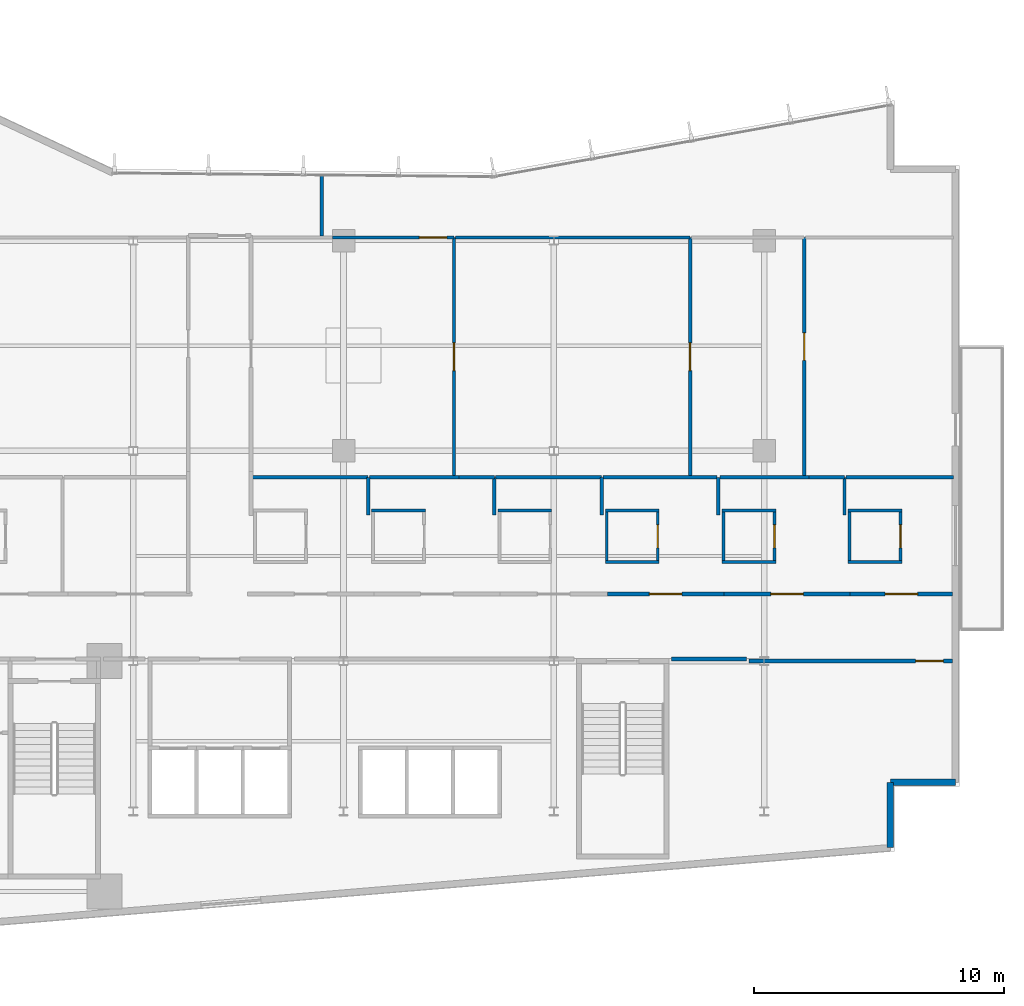
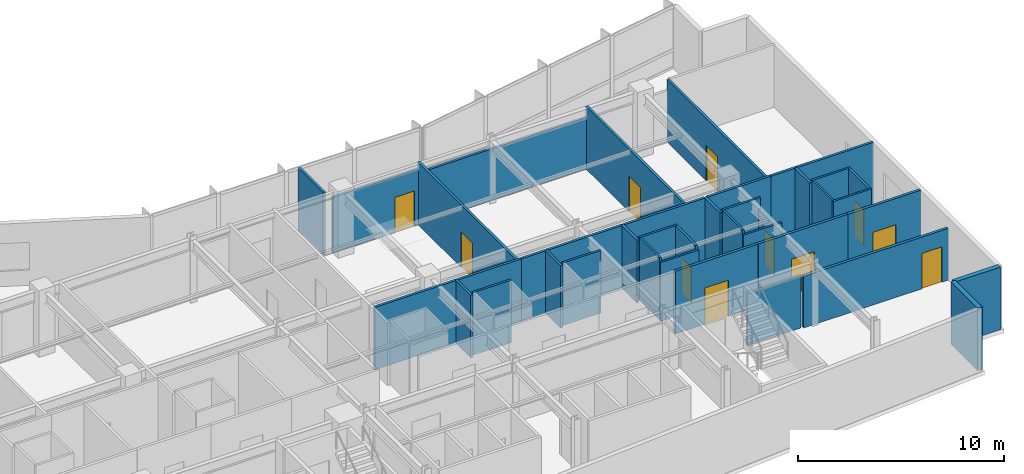
# One storey, part 13 of 19: 40 walls, 11 doors, 11 openings.
"""IFC4 building model written with IfcOpenShell, lengths in metres."""

from ifc_helpers import new_model, si_unit, direction, frame, frame_2d, origin, place, context, subcontext, project, spatial, rectangle, extrude, material, layer, layer_set, type_object, element, fill, save


model = new_model("IFC4")

# Units and contexts
model_context = context("Model", 3, precision=1e-05, world=origin(), true_north=direction((0.0, 1.0)))
body_context = subcontext(model_context, "Body", "Model", "MODEL_VIEW")
ifc_project = project(units=[si_unit("LENGTHUNIT", "METRE"), si_unit("AREAUNIT", "SQUARE_METRE"), si_unit("VOLUMEUNIT", "CUBIC_METRE"), si_unit("PLANEANGLEUNIT", "RADIAN"), si_unit("MASSUNIT", "GRAM", prefix="KILO")], contexts=[model_context])

# Site, building, storey
site_placement = place(None, origin())
site = spatial("IfcSite", under=ifc_project, at=site_placement, CompositionType="ELEMENT")
building_placement = place(site_placement, origin())
building = spatial("IfcBuilding", under=site, at=building_placement, Name="Varnakote Quay Hospital", CompositionType="ELEMENT")
storey_placement = place(building_placement, frame((0.0, 0.0, 54.10009765625)))
storey = spatial("IfcBuildingStorey", under=building, at=storey_placement, Name="L13", CompositionType="ELEMENT", Elevation=54.10009765625)

# Walls
ifc_material_1 = material(Name="Fire-rated acoustic gypsum stud wall", Category="gypsum")
ifc_layer_1 = layer(ifc_material_1, 0.159912109375)
ifc_layer_set_1 = layer_set([ifc_layer_1], Name="Fire-rated acoustic gypsum stud wall")
wall_type_1 = type_object("IfcWallType", Name="WL-COMP-160", PredefinedType="PARTITIONING", material=ifc_layer_set_1)
wall_1_placement = place(storey_placement, frame((46.689208984375, 12.080078125, 0.0), z_axis=(0.0, 0.0, 1.0), x_axis=(1.0, 0.0, 0.0)))
element("IfcWall", 1, at=wall_1_placement, inside=storey, type_object=wall_type_1, Name="L13 Corridor South Gap Wall", PredefinedType="PARTITIONING", context=body_context, shape_type="SweptSolid", body=[
    extrude(rectangle(XDim=3.0107421875, YDim=0.159912109375, at=frame_2d((1.50537109375, 0.0))), origin(), (0.0, 0.0, 1.0), 3.072998046875),
])
ifc_material_2 = material(Name="Moisture-resistant bathroom partition", Category="gypsum")
ifc_layer_2 = layer(ifc_material_2, 0.114990234375)
ifc_layer_set_2 = layer_set([ifc_layer_2], Name="Moisture-resistant bathroom partition")
wall_type_2 = type_object("IfcWallType", Name="WL-ENS-115", PredefinedType="PARTITIONING", material=ifc_layer_set_2)
wall_2_placement = place(storey_placement, frame((34.72509765625, 18.017578125, 0.0), z_axis=(0.0, 0.0, 1.0), x_axis=(1.0, 0.0, 0.0)))
element("IfcWall", 2, at=wall_2_placement, inside=storey, type_object=wall_type_2, Name="L13 Inpatient En-Suite Bathroom 05 N Wall", PredefinedType="PARTITIONING", context=body_context, shape_type="SweptSolid", body=[
    extrude(rectangle(XDim=2.14990234375, YDim=0.114990234375, at=frame_2d((1.074951171875, 0.0))), origin(), (0.0, 0.0, 1.0), 3.7099609375),
])
wall_3_placement = place(storey_placement, frame((39.764892578125, 18.017578125, 0.0), z_axis=(0.0, 0.0, 1.0), x_axis=(1.0, 0.0, 0.0)))
element("IfcWall", 3, at=wall_3_placement, inside=storey, type_object=wall_type_2, Name="L13 Inpatient En-Suite Bathroom 06 N Wall", PredefinedType="PARTITIONING", context=body_context, shape_type="SweptSolid", body=[
    extrude(rectangle(XDim=2.150146484375, YDim=0.114990234375, at=frame_2d((1.0751953125, 0.0))), origin(), (0.0, 0.0, 1.0), 3.7099609375),
])
wall_4_placement = place(storey_placement, frame((44.054931640625, 15.952392578125, 0.0), z_axis=(0.0, 0.0, 1.0), x_axis=(1.0, 0.0, 0.0)))
element("IfcWall", 4, at=wall_4_placement, inside=storey, type_object=wall_type_2, Name="L13 Inpatient En-Suite Bathroom 07 S Wall", PredefinedType="PARTITIONING", context=body_context, shape_type="SweptSolid", body=[
    extrude(rectangle(XDim=2.150146484375, YDim=0.114990234375, at=frame_2d((1.0751953125, 0.0))), origin(), (0.0, 0.0, 1.0), 3.477783203125),
])
wall_5_placement = place(storey_placement, frame((44.054931640625, 18.017578125, 0.0), z_axis=(0.0, 0.0, 1.0), x_axis=(1.0, 0.0, 0.0)))
element("IfcWall", 5, at=wall_5_placement, inside=storey, type_object=wall_type_2, Name="L13 Inpatient En-Suite Bathroom 07 N Wall", PredefinedType="PARTITIONING", context=body_context, shape_type="SweptSolid", body=[
    extrude(rectangle(XDim=2.150146484375, YDim=0.114990234375, at=frame_2d((1.0751953125, 0.0))), origin(), (0.0, 0.0, 1.0), 3.7099609375),
])
wall_6_placement = place(storey_placement, frame((44.112548828125, 16.010009765625, 0.0), z_axis=(0.0, 0.0, 1.0), x_axis=(0.0, 1.0, 0.0)))
element("IfcWall", 6, at=wall_6_placement, inside=storey, type_object=wall_type_2, Name="L13 Inpatient En-Suite Bathroom 07 W Wall", PredefinedType="PARTITIONING", context=body_context, shape_type="SweptSolid", body=[
    extrude(rectangle(XDim=1.949951171875, YDim=0.114990234375, at=frame_2d((0.97509765625, 0.0))), origin(), (0.0, 0.0, 1.0), 3.7099609375),
])

# Wall, opening, door
wall_7_placement = place(storey_placement, frame((46.1474609375, 16.010009765625, 0.0), z_axis=(0.0, 0.0, 1.0), x_axis=(0.0, 1.0, 0.0)))
wall_7 = element("IfcWall", 7, at=wall_7_placement, inside=storey, type_object=wall_type_2, Name="L13 Inpatient En-Suite Bathroom 07 E Wall", PredefinedType="PARTITIONING", context=body_context, shape_type="SweptSolid", body=[
    extrude(rectangle(XDim=1.949951171875, YDim=0.114990234375, at=frame_2d((0.97509765625, 0.0))), origin(), (0.0, 0.0, 1.0), 3.7099609375),
])
opening_1_placement = place(wall_7_placement, frame((0.514892578125, 0.0, 0.0)))
opening_1 = element("IfcOpeningElement", 8, at=opening_1_placement, cuts=wall_7, Name="Opening D-L13-ENS07", PredefinedType="OPENING", context=body_context, shape_type="SweptSolid", body=[
    extrude(rectangle(XDim=0.919921875, YDim=2.10009765625, at=frame_2d((0.4599609375, 1.050048828125))), frame((0.0, 0.0673828125, 0.0), z_axis=(0.0, -1.0, 0.0), x_axis=(1.0, 0.0, 0.0)), (0.0, 0.0, 1.0), 0.135009765625),
])
ifc_material_3 = material(Name="Moisture-sealed en-suite bathroom door")
door_type_1 = type_object("IfcDoorType", Name="DR-ENS-920x2100", OperationType="NOTDEFINED", PredefinedType="DOOR", material=ifc_material_3)
door_1_placement = place(opening_1_placement, origin())
door_1 = element("IfcDoor", 9, at=door_1_placement, inside=storey, type_object=door_type_1, Name="L13 Inpatient En-Suite Bathroom 07 Door", OperationType="SINGLE_SWING_RIGHT", OverallHeight=2.10009765625, OverallWidth=0.919921875, PredefinedType="DOOR", context=body_context, shape_type="SweptSolid", body=[
    extrude(rectangle(XDim=0.919921875, YDim=2.10009765625, at=frame_2d((0.4599609375, 1.050048828125))), frame((0.0, 0.02490234375, 0.0), z_axis=(0.0, -1.0, 0.0), x_axis=(1.0, 0.0, 0.0)), (0.0, 0.0, 1.0), 0.050048828125),
])
fill(opening_1, door_1)

# Walls
wall_8_placement = place(storey_placement, frame((48.715087890625, 15.952392578125, 0.0), z_axis=(0.0, 0.0, 1.0), x_axis=(1.0, 0.0, 0.0)))
element("IfcWall", 10, at=wall_8_placement, inside=storey, type_object=wall_type_2, Name="L13 Inpatient En-Suite Bathroom 08 S Wall", PredefinedType="PARTITIONING", context=body_context, shape_type="SweptSolid", body=[
    extrude(rectangle(XDim=2.14990234375, YDim=0.114990234375, at=frame_2d((1.074951171875, 0.0))), origin(), (0.0, 0.0, 1.0), 3.477783203125),
])
wall_9_placement = place(storey_placement, frame((48.715087890625, 18.017578125, 0.0), z_axis=(0.0, 0.0, 1.0), x_axis=(1.0, 0.0, 0.0)))
element("IfcWall", 11, at=wall_9_placement, inside=storey, type_object=wall_type_2, Name="L13 Inpatient En-Suite Bathroom 08 N Wall", PredefinedType="PARTITIONING", context=body_context, shape_type="SweptSolid", body=[
    extrude(rectangle(XDim=2.14990234375, YDim=0.114990234375, at=frame_2d((1.074951171875, 0.0))), origin(), (0.0, 0.0, 1.0), 3.7099609375),
])
wall_10_placement = place(storey_placement, frame((48.7724609375, 16.010009765625, 0.0), z_axis=(0.0, 0.0, 1.0), x_axis=(0.0, 1.0, 0.0)))
element("IfcWall", 12, at=wall_10_placement, inside=storey, type_object=wall_type_2, Name="L13 Inpatient En-Suite Bathroom 08 W Wall", PredefinedType="PARTITIONING", context=body_context, shape_type="SweptSolid", body=[
    extrude(rectangle(XDim=1.949951171875, YDim=0.114990234375, at=frame_2d((0.97509765625, 0.0))), origin(), (0.0, 0.0, 1.0), 3.7099609375),
])

# Wall, opening, door
wall_11_placement = place(storey_placement, frame((50.8076171875, 16.010009765625, 0.0), z_axis=(0.0, 0.0, 1.0), x_axis=(0.0, 1.0, 0.0)))
wall_11 = element("IfcWall", 13, at=wall_11_placement, inside=storey, type_object=wall_type_2, Name="L13 Inpatient En-Suite Bathroom 08 E Wall", PredefinedType="PARTITIONING", context=body_context, shape_type="SweptSolid", body=[
    extrude(rectangle(XDim=1.949951171875, YDim=0.114990234375, at=frame_2d((0.97509765625, 0.0))), origin(), (0.0, 0.0, 1.0), 3.072998046875),
])
opening_2_placement = place(wall_11_placement, frame((0.514892578125, 0.0, 0.0)))
opening_2 = element("IfcOpeningElement", 14, at=opening_2_placement, cuts=wall_11, Name="Opening D-L13-ENS08", PredefinedType="OPENING", context=body_context, shape_type="SweptSolid", body=[
    extrude(rectangle(XDim=0.919921875, YDim=2.10009765625, at=frame_2d((0.4599609375, 1.050048828125))), frame((0.0, 0.0673828125, 0.0), z_axis=(0.0, -1.0, 0.0), x_axis=(1.0, 0.0, 0.0)), (0.0, 0.0, 1.0), 0.135009765625),
])
door_2_placement = place(opening_2_placement, origin())
door_2 = element("IfcDoor", 15, at=door_2_placement, inside=storey, type_object=door_type_1, Name="L13 Inpatient En-Suite Bathroom 08 Door", OperationType="SINGLE_SWING_LEFT", OverallHeight=2.10009765625, OverallWidth=0.919921875, PredefinedType="DOOR", context=body_context, shape_type="SweptSolid", body=[
    extrude(rectangle(XDim=0.919921875, YDim=2.10009765625, at=frame_2d((0.4599609375, 1.050048828125))), frame((0.0, 0.02490234375, 0.0), z_axis=(0.0, -1.0, 0.0), x_axis=(1.0, 0.0, 0.0)), (0.0, 0.0, 1.0), 0.050048828125),
])
fill(opening_2, door_2)

# Walls
for number, where, z_axis, x_axis, name in (
    (16, (53.7548828125, 15.952392578125, 0.0), (0.0, 0.0, 1.0), (1.0, 0.0, 0.0), "L13 Inpatient En-Suite Bathroom 09 S Wall"),
    (17, (53.7548828125, 18.017578125, 0.0), (0.0, 0.0, 1.0), (1.0, 0.0, 0.0), "L13 Inpatient En-Suite Bathroom 09 N Wall"),
):
    element("IfcWall", number, at=place(storey_placement, frame(where, z_axis=z_axis, x_axis=x_axis)), inside=storey, type_object=wall_type_2, Name=name, PredefinedType="PARTITIONING", context=body_context, shape_type="SweptSolid", body=[
        extrude(rectangle(XDim=2.150146484375, YDim=0.114990234375, at=frame_2d((1.0751953125, 0.0))), origin(), (0.0, 0.0, 1.0), 3.7099609375),
    ])
wall_12_placement = place(storey_placement, frame((53.8125, 16.010009765625, 0.0), z_axis=(0.0, 0.0, 1.0), x_axis=(0.0, 1.0, 0.0)))
element("IfcWall", 18, at=wall_12_placement, inside=storey, type_object=wall_type_2, Name="L13 Inpatient En-Suite Bathroom 09 W Wall", PredefinedType="PARTITIONING", context=body_context, shape_type="SweptSolid", body=[
    extrude(rectangle(XDim=1.949951171875, YDim=0.114990234375, at=frame_2d((0.97509765625, 0.0))), origin(), (0.0, 0.0, 1.0), 3.7099609375),
])

# Wall, opening, door
wall_13_placement = place(storey_placement, frame((55.847412109375, 16.010009765625, 0.0), z_axis=(0.0, 0.0, 1.0), x_axis=(0.0, 1.0, 0.0)))
wall_13 = element("IfcWall", 19, at=wall_13_placement, inside=storey, type_object=wall_type_2, Name="L13 Inpatient En-Suite Bathroom 09 E Wall", PredefinedType="PARTITIONING", context=body_context, shape_type="SweptSolid", body=[
    extrude(rectangle(XDim=1.949951171875, YDim=0.114990234375, at=frame_2d((0.97509765625, 0.0))), origin(), (0.0, 0.0, 1.0), 3.7099609375),
])
opening_3_placement = place(wall_13_placement, frame((0.514892578125, 0.0, 0.0)))
opening_3 = element("IfcOpeningElement", 20, at=opening_3_placement, cuts=wall_13, Name="Opening D-L13-ENS09", PredefinedType="OPENING", context=body_context, shape_type="SweptSolid", body=[
    extrude(rectangle(XDim=0.919921875, YDim=2.10009765625, at=frame_2d((0.4599609375, 1.050048828125))), frame((0.0, 0.0673828125, 0.0), z_axis=(0.0, -1.0, 0.0), x_axis=(1.0, 0.0, 0.0)), (0.0, 0.0, 1.0), 0.135009765625),
])
door_3_placement = place(opening_3_placement, origin())
door_3 = element("IfcDoor", 21, at=door_3_placement, inside=storey, type_object=door_type_1, Name="L13 Inpatient En-Suite Bathroom 09 Door", OperationType="SINGLE_SWING_RIGHT", OverallHeight=2.10009765625, OverallWidth=0.919921875, PredefinedType="DOOR", context=body_context, shape_type="SweptSolid", body=[
    extrude(rectangle(XDim=0.919921875, YDim=2.10009765625, at=frame_2d((0.4599609375, 1.050048828125))), frame((0.0, 0.02490234375, 0.0), z_axis=(0.0, -1.0, 0.0), x_axis=(1.0, 0.0, 0.0)), (0.0, 0.0, 1.0), 0.050048828125),
])
fill(opening_3, door_3)

# Walls
ifc_material_4 = material(Name="Precast concrete N50 (f'c 50 MPa)", Category="concrete")
ifc_layer_3 = layer(ifc_material_4, 0.260009765625)
ifc_layer_set_3 = layer_set([ifc_layer_3], Name="Precast concrete N50 (f'c 50 MPa)")
wall_type_3 = type_object("IfcWallType", Name="WL-EXT-BRICK-260", PredefinedType="STANDARD", material=ifc_layer_set_3)
wall_14_placement = place(storey_placement, frame((55.43994140625, 4.54736328125, 0.0), z_axis=(0.0, 0.0, 1.0), x_axis=(0.0, 1.0, 0.0)))
element("IfcWall", 22, at=wall_14_placement, inside=storey, type_object=wall_type_3, Name="L13 Brick-Faced Precast Exterior Wall", PredefinedType="STANDARD", context=body_context, shape_type="SweptSolid", body=[
    extrude(rectangle(XDim=2.612548828125, YDim=0.260009765625, at=frame_2d((1.30615234375, 0.0))), origin(), (0.0, 0.0, 1.0), 3.7099609375),
])
wall_15_placement = place(storey_placement, frame((55.43994140625, 7.159912109375, 0.0), z_axis=(0.0, 0.0, 1.0), x_axis=(1.0, 0.0, 0.0)))
element("IfcWall", 23, at=wall_15_placement, inside=storey, type_object=wall_type_3, Name="L13 Brick-Faced Precast Exterior Wall", PredefinedType="STANDARD", context=body_context, shape_type="SweptSolid", body=[
    extrude(rectangle(XDim=2.60009765625, YDim=0.260009765625, at=frame_2d((1.300048828125, 0.0))), origin(), (0.0, 0.0, 1.0), 3.7099609375),
])
ifc_material_5 = material(Name="Smoke-proof clinical partition", Category="gypsum")
ifc_layer_4 = layer(ifc_material_5, 0.135009765625)
ifc_layer_set_4 = layer_set([ifc_layer_4], Name="Smoke-proof clinical partition")
wall_type_4 = type_object("IfcWallType", Name="WL-SMOKE-135", PredefinedType="PARTITIONING", material=ifc_layer_set_4)
wall_16_placement = place(storey_placement, frame((34.580078125, 17.83251953125, 0.0), z_axis=(0.0, 0.0, 1.0), x_axis=(0.0, 1.0, 0.0)))
element("IfcWall", 24, at=wall_16_placement, inside=storey, type_object=wall_type_4, Name="L13 Clinical Interior Partition", PredefinedType="PARTITIONING", context=body_context, shape_type="SweptSolid", body=[
    extrude(rectangle(XDim=1.507568359375, YDim=0.135009765625, at=frame_2d((0.75390625, 0.0))), origin(), (0.0, 0.0, 1.0), 3.7099609375),
])
wall_17_placement = place(storey_placement, frame((34.580078125, 19.340087890625, 0.0), z_axis=(0.0, 0.0, 1.0), x_axis=(-1.0, 0.0, 0.0)))
element("IfcWall", 25, at=wall_17_placement, inside=storey, type_object=wall_type_4, Name="L13 Clinical Interior Partition", PredefinedType="PARTITIONING", context=body_context, shape_type="SweptSolid", body=[
    extrude(rectangle(XDim=4.614990234375, YDim=0.135009765625, at=frame_2d((2.3076171875, 0.0))), origin(), (0.0, 0.0, 1.0), 3.7099609375),
])
wall_18_placement = place(storey_placement, frame((39.6201171875, 17.83251953125, 0.0), z_axis=(0.0, 0.0, 1.0), x_axis=(0.0, 1.0, 0.0)))
element("IfcWall", 26, at=wall_18_placement, inside=storey, type_object=wall_type_4, Name="L13 Clinical Interior Partition", PredefinedType="PARTITIONING", context=body_context, shape_type="SweptSolid", body=[
    extrude(rectangle(XDim=1.507568359375, YDim=0.135009765625, at=frame_2d((0.75390625, 0.0))), origin(), (0.0, 0.0, 1.0), 3.7099609375),
])
wall_19_placement = place(storey_placement, frame((38.20458984375, 19.340087890625, 0.0), z_axis=(0.0, 0.0, 1.0), x_axis=(-1.0, 0.0, 0.0)))
element("IfcWall", 27, at=wall_19_placement, inside=storey, type_object=wall_type_4, Name="L13 Clinical Interior Partition", PredefinedType="PARTITIONING", context=body_context, shape_type="SweptSolid", body=[
    extrude(rectangle(XDim=3.567138671875, YDim=0.135009765625, at=frame_2d((1.78369140625, 0.0))), origin(), (0.0, 0.0, 1.0), 3.7099609375),
])
wall_20_placement = place(storey_placement, frame((39.6201171875, 19.340087890625, 0.0), z_axis=(0.0, 0.0, 1.0), x_axis=(-1.0, 0.0, 0.0)))
element("IfcWall", 28, at=wall_20_placement, inside=storey, type_object=wall_type_4, Name="L13 Clinical Interior Partition", PredefinedType="PARTITIONING", context=body_context, shape_type="SweptSolid", body=[
    extrude(rectangle(XDim=1.41357421875, YDim=0.135009765625, at=frame_2d((0.706787109375, 0.0))), origin(), (0.0, 0.0, 1.0), 3.7099609375),
])
wall_21_placement = place(storey_placement, frame((43.909912109375, 17.83251953125, 0.0), z_axis=(0.0, 0.0, 1.0), x_axis=(0.0, 1.0, 0.0)))
element("IfcWall", 29, at=wall_21_placement, inside=storey, type_object=wall_type_4, Name="L13 Clinical Interior Partition", PredefinedType="PARTITIONING", context=body_context, shape_type="SweptSolid", body=[
    extrude(rectangle(XDim=1.507568359375, YDim=0.135009765625, at=frame_2d((0.75390625, 0.0))), origin(), (0.0, 0.0, 1.0), 3.7099609375),
])
wall_22_placement = place(storey_placement, frame((43.909912109375, 19.340087890625, 0.0), z_axis=(0.0, 0.0, 1.0), x_axis=(-1.0, 0.0, 0.0)))
element("IfcWall", 30, at=wall_22_placement, inside=storey, type_object=wall_type_4, Name="L13 Clinical Interior Partition", PredefinedType="PARTITIONING", context=body_context, shape_type="SweptSolid", body=[
    extrude(rectangle(XDim=4.232421875, YDim=0.135009765625, at=frame_2d((2.1162109375, 0.0))), origin(), (0.0, 0.0, 1.0), 3.7099609375),
])
wall_23_placement = place(storey_placement, frame((48.570068359375, 17.83251953125, 0.0), z_axis=(0.0, 0.0, 1.0), x_axis=(0.0, 1.0, 0.0)))
element("IfcWall", 31, at=wall_23_placement, inside=storey, type_object=wall_type_4, Name="L13 Clinical Interior Partition", PredefinedType="PARTITIONING", context=body_context, shape_type="SweptSolid", body=[
    extrude(rectangle(XDim=1.507568359375, YDim=0.135009765625, at=frame_2d((0.75390625, 0.0))), origin(), (0.0, 0.0, 1.0), 3.7099609375),
])
wall_24_placement = place(storey_placement, frame((48.512451171875, 19.340087890625, 0.0), z_axis=(0.0, 0.0, 1.0), x_axis=(-1.0, 0.0, 0.0)))
element("IfcWall", 32, at=wall_24_placement, inside=storey, type_object=wall_type_4, Name="L13 Clinical Interior Partition", PredefinedType="PARTITIONING", context=body_context, shape_type="SweptSolid", body=[
    extrude(rectangle(XDim=4.544921875, YDim=0.135009765625, at=frame_2d((2.2724609375, 0.0))), origin(), (0.0, 0.0, 1.0), 3.7099609375),
])
wall_25_placement = place(storey_placement, frame((53.610107421875, 17.83251953125, 0.0), z_axis=(0.0, 0.0, 1.0), x_axis=(0.0, 1.0, 0.0)))
element("IfcWall", 33, at=wall_25_placement, inside=storey, type_object=wall_type_4, Name="L13 Clinical Interior Partition", PredefinedType="PARTITIONING", context=body_context, shape_type="SweptSolid", body=[
    extrude(rectangle(XDim=1.507568359375, YDim=0.135009765625, at=frame_2d((0.75390625, 0.0))), origin(), (0.0, 0.0, 1.0), 3.7099609375),
])
wall_26_placement = place(storey_placement, frame((52.194580078125, 19.340087890625, 0.0), z_axis=(0.0, 0.0, 1.0), x_axis=(-1.0, 0.0, 0.0)))
element("IfcWall", 34, at=wall_26_placement, inside=storey, type_object=wall_type_4, Name="L13 Clinical Interior Partition", PredefinedType="PARTITIONING", context=body_context, shape_type="SweptSolid", body=[
    extrude(rectangle(XDim=3.567138671875, YDim=0.135009765625, at=frame_2d((1.78369140625, 0.0))), origin(), (0.0, 0.0, 1.0), 3.7099609375),
])
wall_27_placement = place(storey_placement, frame((53.610107421875, 19.340087890625, 0.0), z_axis=(0.0, 0.0, 1.0), x_axis=(-1.0, 0.0, 0.0)))
element("IfcWall", 35, at=wall_27_placement, inside=storey, type_object=wall_type_4, Name="L13 Clinical Interior Partition", PredefinedType="PARTITIONING", context=body_context, shape_type="SweptSolid", body=[
    extrude(rectangle(XDim=1.41357421875, YDim=0.135009765625, at=frame_2d((0.706787109375, 0.0))), origin(), (0.0, 0.0, 1.0), 3.7099609375),
])
wall_28_placement = place(storey_placement, frame((57.9599609375, 19.340087890625, 0.0), z_axis=(0.0, 0.0, 1.0), x_axis=(-1.0, 0.0, 0.0)))
element("IfcWall", 36, at=wall_28_placement, inside=storey, type_object=wall_type_4, Name="L13 Clinical Interior Partition", PredefinedType="PARTITIONING", context=body_context, shape_type="SweptSolid", body=[
    extrude(rectangle(XDim=4.29248046875, YDim=0.135009765625, at=frame_2d((2.146240234375, 0.0))), origin(), (0.0, 0.0, 1.0), 3.7099609375),
])

# Wall, opening, door
wall_29_placement = place(storey_placement, frame((38.010009765625, 19.3974609375, 0.0), z_axis=(0.0, 0.0, 1.0), x_axis=(0.0, 1.0, 0.0)))
wall_29 = element("IfcWall", 37, at=wall_29_placement, inside=storey, type_object=wall_type_4, Name="L13 Clinical Interior Partition", PredefinedType="PARTITIONING", context=body_context, shape_type="SweptSolid", body=[
    extrude(rectangle(XDim=9.5224609375, YDim=0.135009765625, at=frame_2d((4.76123046875, 0.0))), origin(), (0.0, 0.0, 1.0), 3.7099609375),
])
opening_4_placement = place(wall_29_placement, frame((4.211181640625, 0.0, 0.0)))
opening_4 = element("IfcOpeningElement", 38, at=opening_4_placement, cuts=wall_29, Name="Opening D-L13-MD08", PredefinedType="OPENING", context=body_context, shape_type="SweptSolid", body=[
    extrude(rectangle(XDim=1.10009765625, YDim=2.10009765625, at=frame_2d((0.550048828125, 1.050048828125))), frame((0.0, 0.077392578125, 0.0), z_axis=(0.0, -1.0, 0.0), x_axis=(1.0, 0.0, 0.0)), (0.0, 0.0, 1.0), 0.155029296875),
])
ifc_material_6 = material(Name="Acoustic timber clinical consult door", Category="wood")
door_type_2 = type_object("IfcDoorType", Name="DR-CLIN-FD30S-1100x2100", OperationType="NOTDEFINED", PredefinedType="DOOR", material=ifc_material_6)
door_4_placement = place(opening_4_placement, origin())
door_4 = element("IfcDoor", 39, at=door_4_placement, inside=storey, type_object=door_type_2, Name="L13 Clinical Education Teaching Room Door", OperationType="SINGLE_SWING_RIGHT", OverallHeight=2.10009765625, OverallWidth=1.10009765625, PredefinedType="DOOR", context=body_context, shape_type="SweptSolid", body=[
    extrude(rectangle(XDim=1.10009765625, YDim=2.10009765625, at=frame_2d((0.550048828125, 1.050048828125))), frame((0.0, 0.02490234375, 0.0), z_axis=(0.0, -1.0, 0.0), x_axis=(1.0, 0.0, 0.0)), (0.0, 0.0, 1.0), 0.050048828125),
])
fill(opening_4, door_4)

wall_30_placement = place(storey_placement, frame((38.010009765625, 28.919921875, 0.0), z_axis=(0.0, 0.0, 1.0), x_axis=(-1.0, 0.0, 0.0)))
wall_30 = element("IfcWall", 40, at=wall_30_placement, inside=storey, type_object=wall_type_4, Name="L13 Clinical Interior Partition", PredefinedType="PARTITIONING", context=body_context, shape_type="SweptSolid", body=[
    extrude(rectangle(XDim=4.85791015625, YDim=0.135009765625, at=frame_2d((2.428955078125, 0.0))), origin(), (0.0, 0.0, 1.0), 3.325927734375),
])
opening_5_placement = place(wall_30_placement, frame((0.283935546875, 0.0, 0.0)))
opening_5 = element("IfcOpeningElement", 41, at=opening_5_placement, cuts=wall_30, Name="Opening D-L13-MD12", PredefinedType="OPENING", context=body_context, shape_type="SweptSolid", body=[
    extrude(rectangle(XDim=1.10009765625, YDim=2.10009765625, at=frame_2d((0.550048828125, 1.050048828125))), frame((0.0, 0.077392578125, 0.0), z_axis=(0.0, -1.0, 0.0), x_axis=(1.0, 0.0, 0.0)), (0.0, 0.0, 1.0), 0.155029296875),
])
door_5_placement = place(opening_5_placement, origin())
door_5 = element("IfcDoor", 42, at=door_5_placement, inside=storey, type_object=door_type_2, Name="L13 Clinical Education Teaching Room Door", OperationType="SINGLE_SWING_LEFT", OverallHeight=2.10009765625, OverallWidth=1.10009765625, PredefinedType="DOOR", context=body_context, shape_type="SweptSolid", body=[
    extrude(rectangle(XDim=1.10009765625, YDim=2.10009765625, at=frame_2d((0.550048828125, 1.050048828125))), frame((0.0, 0.02490234375, 0.0), z_axis=(0.0, -1.0, 0.0), x_axis=(1.0, 0.0, 0.0)), (0.0, 0.0, 1.0), 0.050048828125),
])
fill(opening_5, door_5)

wall_31_placement = place(storey_placement, frame((47.43994140625, 19.3974609375, 0.0), z_axis=(0.0, 0.0, 1.0), x_axis=(0.0, 1.0, 0.0)))
wall_31 = element("IfcWall", 43, at=wall_31_placement, inside=storey, type_object=wall_type_4, Name="L13 Clinical Interior Partition", PredefinedType="PARTITIONING", context=body_context, shape_type="SweptSolid", body=[
    extrude(rectangle(XDim=9.5224609375, YDim=0.135009765625, at=frame_2d((4.76123046875, 0.0))), origin(), (0.0, 0.0, 1.0), 3.7099609375),
])
opening_6_placement = place(wall_31_placement, frame((4.211181640625, 0.0, 0.0)))
opening_6 = element("IfcOpeningElement", 44, at=opening_6_placement, cuts=wall_31, Name="Opening D-L13-MD09", PredefinedType="OPENING", context=body_context, shape_type="SweptSolid", body=[
    extrude(rectangle(XDim=1.10009765625, YDim=2.10009765625, at=frame_2d((0.550048828125, 1.050048828125))), frame((0.0, 0.077392578125, 0.0), z_axis=(0.0, -1.0, 0.0), x_axis=(1.0, 0.0, 0.0)), (0.0, 0.0, 1.0), 0.155029296875),
])
door_6_placement = place(opening_6_placement, origin())
door_6 = element("IfcDoor", 45, at=door_6_placement, inside=storey, type_object=door_type_2, Name="L13 Multidisciplinary Clinical Consultation Suite Door", OperationType="SINGLE_SWING_RIGHT", OverallHeight=2.10009765625, OverallWidth=1.10009765625, PredefinedType="DOOR", context=body_context, shape_type="SweptSolid", body=[
    extrude(rectangle(XDim=1.10009765625, YDim=2.10009765625, at=frame_2d((0.550048828125, 1.050048828125))), frame((0.0, 0.02490234375, 0.0), z_axis=(0.0, -1.0, 0.0), x_axis=(1.0, 0.0, 0.0)), (0.0, 0.0, 1.0), 0.050048828125),
])
fill(opening_6, door_6)

# Wall
wall_32_placement = place(storey_placement, frame((47.43994140625, 28.919921875, 0.0), z_axis=(0.0, 0.0, 1.0), x_axis=(-1.0, 0.0, 0.0)))
element("IfcWall", 46, at=wall_32_placement, inside=storey, type_object=wall_type_4, Name="L13 Clinical Interior Partition", PredefinedType="PARTITIONING", context=body_context, shape_type="SweptSolid", body=[
    extrude(rectangle(XDim=9.37255859375, YDim=0.135009765625, at=frame_2d((4.686279296875, 0.0))), origin(), (0.0, 0.0, 1.0), 3.072998046875),
])

# Wall, opening, door
wall_33_placement = place(storey_placement, frame((52.0, 19.3974609375, 0.0), z_axis=(0.0, 0.0, 1.0), x_axis=(0.0, 1.0, 0.0)))
wall_33 = element("IfcWall", 47, at=wall_33_placement, inside=storey, type_object=wall_type_4, Name="L13 Clinical Interior Partition", PredefinedType="PARTITIONING", context=body_context, shape_type="SweptSolid", body=[
    extrude(rectangle(XDim=9.5224609375, YDim=0.135009765625, at=frame_2d((4.76123046875, 0.0))), origin(), (0.0, 0.0, 1.0), 3.7099609375),
])
opening_7_placement = place(wall_33_placement, frame((4.6123046875, 0.0, 0.0)))
opening_7 = element("IfcOpeningElement", 48, at=opening_7_placement, cuts=wall_33, Name="Opening D-L13-DLNG", PredefinedType="OPENING", context=body_context, shape_type="SweptSolid", body=[
    extrude(rectangle(XDim=1.10009765625, YDim=2.10009765625, at=frame_2d((0.550048828125, 1.050048828125))), frame((0.0, 0.077392578125, 0.0), z_axis=(0.0, -1.0, 0.0), x_axis=(1.0, 0.0, 0.0)), (0.0, 0.0, 1.0), 0.155029296875),
])
door_7_placement = place(opening_7_placement, origin())
door_7 = element("IfcDoor", 49, at=door_7_placement, inside=storey, type_object=door_type_2, Name="L13 Waterfront Patient & Family Dayroom Door", OperationType="SINGLE_SWING_LEFT", OverallHeight=2.10009765625, OverallWidth=1.10009765625, PredefinedType="DOOR", context=body_context, shape_type="SweptSolid", body=[
    extrude(rectangle(XDim=1.10009765625, YDim=2.10009765625, at=frame_2d((0.550048828125, 1.050048828125))), frame((0.0, 0.02490234375, 0.0), z_axis=(0.0, -1.0, 0.0), x_axis=(1.0, 0.0, 0.0)), (0.0, 0.0, 1.0), 0.050048828125),
])
fill(opening_7, door_7)

# Wall
wall_34_placement = place(storey_placement, frame((32.72998046875, 28.9775390625, 0.0), z_axis=(0.0, 0.0, 1.0), x_axis=(0.0, 1.0, 0.0)))
element("IfcWall", 50, at=wall_34_placement, inside=storey, type_object=wall_type_4, Name="L13 Clinical Interior Partition", PredefinedType="PARTITIONING", context=body_context, shape_type="SweptSolid", body=[
    extrude(rectangle(XDim=2.433349609375, YDim=0.135009765625, at=frame_2d((1.216796875, 0.0))), origin(), (0.0, 0.0, 1.0), 3.7099609375),
])

# Wall, opening, door
ifc_material_7 = material(Name="Fire-rated clinical gypsum partition", Category="gypsum")
ifc_layer_5 = layer(ifc_material_7, 0.14990234375)
ifc_layer_set_5 = layer_set([ifc_layer_5], Name="Fire-rated clinical gypsum partition")
wall_type_5 = type_object("IfcWallType", Name="WL-WARD-150", PredefinedType="PARTITIONING", material=ifc_layer_set_5)
wall_35_placement = place(storey_placement, frame((57.919921875, 12.0, 0.0), z_axis=(0.0, 0.0, 1.0), x_axis=(-1.0, 0.0, 0.0)))
wall_35 = element("IfcWall", 51, at=wall_35_placement, inside=storey, type_object=wall_type_5, Name="L13 Clinical Interior Partition", PredefinedType="PARTITIONING", context=body_context, shape_type="SweptSolid", body=[
    extrude(rectangle(XDim=8.119873046875, YDim=0.14990234375, at=frame_2d((4.06005859375, 0.0))), origin(), (0.0, 0.0, 1.0), 3.072998046875),
])
opening_8_placement = place(wall_35_placement, frame((0.365478515625, 0.0, 0.0)))
opening_8 = element("IfcOpeningElement", 52, at=opening_8_placement, cuts=wall_35, Name="Opening D-L13-SE1", PredefinedType="OPENING", context=body_context, shape_type="SweptSolid", body=[
    extrude(rectangle(XDim=1.10009765625, YDim=2.10009765625, at=frame_2d((0.550048828125, 1.050048828125))), frame((0.0, 0.0849609375, 0.0), z_axis=(0.0, -1.0, 0.0), x_axis=(1.0, 0.0, 0.0)), (0.0, 0.0, 1.0), 0.169921875),
])
door_8_placement = place(opening_8_placement, origin())
door_8 = element("IfcDoor", 53, at=door_8_placement, inside=storey, type_object=door_type_2, Name="L13 Clinical Biomedical Engineering Office Door", OperationType="SINGLE_SWING_LEFT", OverallHeight=2.10009765625, OverallWidth=1.10009765625, PredefinedType="DOOR", context=body_context, shape_type="SweptSolid", body=[
    extrude(rectangle(XDim=1.10009765625, YDim=2.10009765625, at=frame_2d((0.550048828125, 1.050048828125))), frame((0.0, 0.02490234375, 0.0), z_axis=(0.0, -1.0, 0.0), x_axis=(1.0, 0.0, 0.0)), (0.0, 0.0, 1.0), 0.050048828125),
])
fill(opening_8, door_8)

wall_36_placement = place(storey_placement, frame((48.7958984375, 14.679931640625, 0.0), z_axis=(0.0, 0.0, 1.0), x_axis=(-1.0, 0.0, 0.0)))
wall_36 = element("IfcWall", 54, at=wall_36_placement, inside=storey, type_object=wall_type_5, Name="L13 Clinical Interior Partition", PredefinedType="PARTITIONING", context=body_context, shape_type="SweptSolid", body=[
    extrude(rectangle(XDim=4.657958984375, YDim=0.14990234375, at=frame_2d((2.3291015625, 0.0))), origin(), (0.0, 0.0, 1.0), 3.7099609375),
])
opening_9_placement = place(wall_36_placement, frame((1.678955078125, 0.0, 0.0)))
opening_9 = element("IfcOpeningElement", 55, at=opening_9_placement, cuts=wall_36, Name="Opening D-L13-BR07", PredefinedType="OPENING", context=body_context, shape_type="SweptSolid", body=[
    extrude(rectangle(XDim=1.300048828125, YDim=2.14990234375, at=frame_2d((0.64990234375, 1.074951171875))), frame((0.0, 0.0849609375, 0.0), z_axis=(0.0, -1.0, 0.0), x_axis=(1.0, 0.0, 0.0)), (0.0, 0.0, 1.0), 0.169921875),
])
ifc_material_8 = material(Name="Solid-core timber clinical bed door", Category="wood")
door_type_3 = type_object("IfcDoorType", Name="DR-WARD-FD30S-1300x2150", OperationType="NOTDEFINED", PredefinedType="DOOR", material=ifc_material_8)
door_9_placement = place(opening_9_placement, origin())
door_9 = element("IfcDoor", 56, at=door_9_placement, inside=storey, type_object=door_type_3, Name="L13 Resident Care Bedroom 07 Door", OperationType="SINGLE_SWING_LEFT", OverallHeight=2.14990234375, OverallWidth=1.300048828125, PredefinedType="DOOR", context=body_context, shape_type="SweptSolid", body=[
    extrude(rectangle(XDim=1.300048828125, YDim=2.14990234375, at=frame_2d((0.64990234375, 1.074951171875))), frame((0.0, 0.02490234375, 0.0), z_axis=(0.0, -1.0, 0.0), x_axis=(1.0, 0.0, 0.0)), (0.0, 0.0, 1.0), 0.050048828125),
])
fill(opening_9, door_9)

wall_37_placement = place(storey_placement, frame((53.8359375, 14.679931640625, 0.0), z_axis=(0.0, 0.0, 1.0), x_axis=(-1.0, 0.0, 0.0)))
wall_37 = element("IfcWall", 57, at=wall_37_placement, inside=storey, type_object=wall_type_5, Name="L13 Clinical Interior Partition", PredefinedType="PARTITIONING", context=body_context, shape_type="SweptSolid", body=[
    extrude(rectangle(XDim=5.037841796875, YDim=0.14990234375, at=frame_2d((2.51904296875, 0.0))), origin(), (0.0, 0.0, 1.0), 3.7099609375),
])
opening_10_placement = place(wall_37_placement, frame((1.868896484375, 0.0, 0.0)))
opening_10 = element("IfcOpeningElement", 58, at=opening_10_placement, cuts=wall_37, Name="Opening D-L13-BR08", PredefinedType="OPENING", context=body_context, shape_type="SweptSolid", body=[
    extrude(rectangle(XDim=1.300048828125, YDim=2.14990234375, at=frame_2d((0.64990234375, 1.074951171875))), frame((0.0, 0.0849609375, 0.0), z_axis=(0.0, -1.0, 0.0), x_axis=(1.0, 0.0, 0.0)), (0.0, 0.0, 1.0), 0.169921875),
])
door_10_placement = place(opening_10_placement, origin())
door_10 = element("IfcDoor", 59, at=door_10_placement, inside=storey, type_object=door_type_3, Name="L13 Resident Care Bedroom 08 Door", OperationType="SINGLE_SWING_RIGHT", OverallHeight=2.14990234375, OverallWidth=1.300048828125, PredefinedType="DOOR", context=body_context, shape_type="SweptSolid", body=[
    extrude(rectangle(XDim=1.300048828125, YDim=2.14990234375, at=frame_2d((0.64990234375, 1.074951171875))), frame((0.0, 0.02490234375, 0.0), z_axis=(0.0, -1.0, 0.0), x_axis=(1.0, 0.0, 0.0)), (0.0, 0.0, 1.0), 0.050048828125),
])
fill(opening_10, door_10)

wall_38_placement = place(storey_placement, frame((57.919921875, 14.679931640625, 0.0), z_axis=(0.0, 0.0, 1.0), x_axis=(-1.0, 0.0, 0.0)))
wall_38 = element("IfcWall", 60, at=wall_38_placement, inside=storey, type_object=wall_type_5, Name="L13 Clinical Interior Partition", PredefinedType="PARTITIONING", context=body_context, shape_type="SweptSolid", body=[
    extrude(rectangle(XDim=4.08203125, YDim=0.14990234375, at=frame_2d((2.041015625, 0.0))), origin(), (0.0, 0.0, 1.0), 3.7099609375),
])
opening_11_placement = place(wall_38_placement, frame((1.39111328125, 0.0, 0.0)))
opening_11 = element("IfcOpeningElement", 61, at=opening_11_placement, cuts=wall_38, Name="Opening D-L13-BR09", PredefinedType="OPENING", context=body_context, shape_type="SweptSolid", body=[
    extrude(rectangle(XDim=1.300048828125, YDim=2.14990234375, at=frame_2d((0.64990234375, 1.074951171875))), frame((0.0, 0.0849609375, 0.0), z_axis=(0.0, -1.0, 0.0), x_axis=(1.0, 0.0, 0.0)), (0.0, 0.0, 1.0), 0.169921875),
])
door_11_placement = place(opening_11_placement, origin())
door_11 = element("IfcDoor", 62, at=door_11_placement, inside=storey, type_object=door_type_3, Name="L13 Resident Care Bedroom 09 Door", OperationType="SINGLE_SWING_LEFT", OverallHeight=2.14990234375, OverallWidth=1.300048828125, PredefinedType="DOOR", context=body_context, shape_type="SweptSolid", body=[
    extrude(rectangle(XDim=1.300048828125, YDim=2.14990234375, at=frame_2d((0.64990234375, 1.074951171875))), frame((0.0, 0.02490234375, 0.0), z_axis=(0.0, -1.0, 0.0), x_axis=(1.0, 0.0, 0.0)), (0.0, 0.0, 1.0), 0.050048828125),
])
fill(opening_11, door_11)

save(model, "model.ifc")
